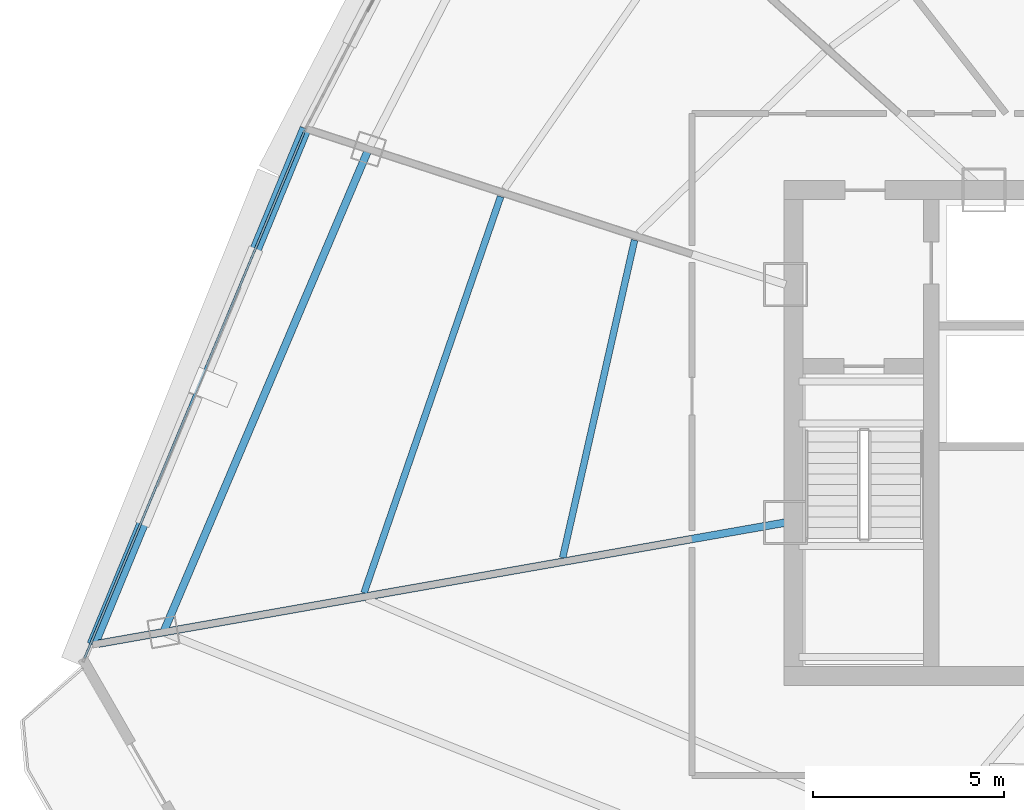
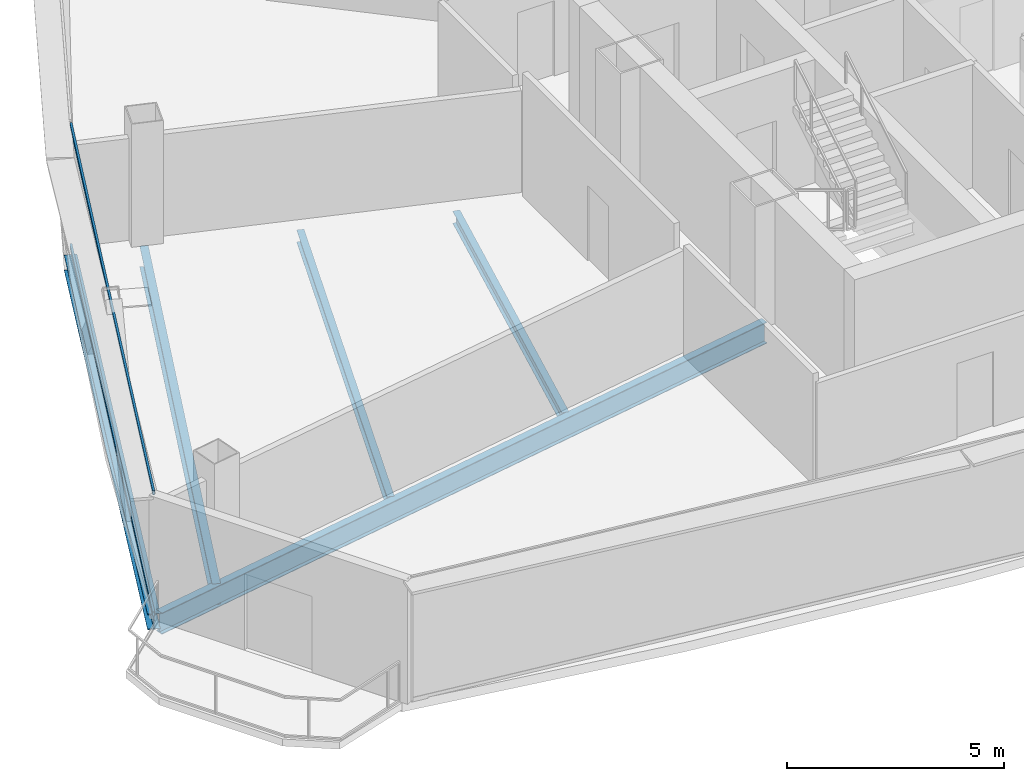
# One storey, part 5 of 33: 5 beams, 2 members, 1 element without a shape of its own.
"""IFC4 building model written with IfcOpenShell, lengths in metres."""

from ifc_helpers import new_model, si_unit, direction, frame, origin, origin_2d, place, context, subcontext, project, spatial, hollow_rectangle, i_section, extrude, source, transform, mapped, material, layer, layer_set, material_profile, profile_set, type_object, element, aggregate, save


model = new_model("IFC4")

# Units and contexts
model_context = context("Model", 3, precision=1e-05, world=origin(), true_north=direction((0.0, 1.0)))
body_context = subcontext(model_context, "Body", "Model", "MODEL_VIEW")
ifc_project = project(units=[si_unit("LENGTHUNIT", "METRE"), si_unit("AREAUNIT", "SQUARE_METRE"), si_unit("VOLUMEUNIT", "CUBIC_METRE"), si_unit("PLANEANGLEUNIT", "RADIAN"), si_unit("MASSUNIT", "GRAM", prefix="KILO"), si_unit("THERMODYNAMICTEMPERATUREUNIT", "KELVIN"), si_unit("POWERUNIT", "WATT")], contexts=[model_context])

# Site, building, storey
site_placement = place(None, origin())
site = spatial("IfcSite", under=ifc_project, at=site_placement, CompositionType="ELEMENT")
building_placement = place(site_placement, origin())
building = spatial("IfcBuilding", under=site, at=building_placement, Name="Yunzhuo Pagoda Commons", CompositionType="ELEMENT")
storey_placement = place(building_placement, frame((0.0, 0.0, 307.39990234375)))
storey = spatial("IfcBuildingStorey", under=building, at=storey_placement, Name="L77", CompositionType="ELEMENT", Elevation=307.39990234375)

# Beams
ifc_material_1 = material(Name="Structural steel Q355B", Category="steel")
ifc_material_profile_1 = material_profile(ifc_material_1, i_section(OverallWidth=0.199951171875, OverallDepth=0.60009765625, WebThickness=0.010986328125, FlangeThickness=0.01708984375, at=origin_2d()), Name="Structural steel Q355B")
ifc_profile_set_1 = profile_set([ifc_material_profile_1], Name="Structural steel Q355B")
beam_type_1 = type_object("IfcBeamType", Name="B-RG3 Beam HN 600x200x11x17", PredefinedType="BEAM", material=ifc_profile_set_1)
shared_shape_1 = source(origin(), body_context, "Body", "SweptSolid", [
    extrude(i_section(OverallWidth=0.199951171875, OverallDepth=0.60009765625, WebThickness=0.010986328125, FlangeThickness=0.01708984375, at=origin_2d()), origin(), (0.0, 0.0, 1.0), 13.715576171875),
])
beam_1_placement = place(storey_placement, frame((24.697509765625, 41.271484375, -0.559814453125), z_axis=(-0.390733146992, -0.920503996646, 0.0), x_axis=(0.920503996646, -0.390733146992, 0.0)))
element("IfcBeam", 1, at=beam_1_placement, inside=storey, type_object=beam_type_1, Name="L77 column-ring beam 11", PredefinedType="BEAM", context=body_context, shape_type="MappedRepresentation", body=[
    mapped(shared_shape_1, transform((0.0, 0.0, 0.0), scale=1.0)),
])
ifc_material_profile_2 = material_profile(ifc_material_1, i_section(OverallWidth=0.175048828125, OverallDepth=0.35009765625, WebThickness=0.007080078125, FlangeThickness=0.010986328125, at=origin_2d()), Name="Structural steel Q355B")
ifc_profile_set_2 = profile_set([ifc_material_profile_2], Name="Structural steel Q355B")
beam_type_2 = type_object("IfcBeamType", Name="B-JS2 Joist HN 350x175x7x11", PredefinedType="JOIST", material=ifc_profile_set_2)
shared_shape_2 = source(origin(), body_context, "Body", "SweptSolid", [
    extrude(i_section(OverallWidth=0.175048828125, OverallDepth=0.35009765625, WebThickness=0.007080078125, FlangeThickness=0.010986328125, at=origin_2d()), origin(), (0.0, 0.0, 1.0), 8.508544921875),
])
beam_2_placement = place(storey_placement, frame((31.649658203125, 38.89208984375, -0.434814453125), z_axis=(-0.220769003385, -0.975326123481, 0.0), x_axis=(0.975326123481, -0.220769003385, 0.0)))
element("IfcBeam", 2, at=beam_2_placement, inside=storey, type_object=beam_type_2, Name="L77 composite ring joist 1.11", PredefinedType="JOIST", context=body_context, shape_type="MappedRepresentation", body=[
    mapped(shared_shape_2, transform((0.0, 0.0, 0.0), scale=1.0)),
])
shared_shape_3 = source(origin(), body_context, "Body", "SweptSolid", [
    extrude(i_section(OverallWidth=0.175048828125, OverallDepth=0.35009765625, WebThickness=0.007080078125, FlangeThickness=0.010986328125, at=origin_2d()), origin(), (0.0, 0.0, 1.0), 10.954345703125),
])
beam_3_placement = place(storey_placement, frame((28.14892578125, 40.029052734375, -0.434814453125), z_axis=(-0.325839571137, -0.945425075763, 0.0), x_axis=(0.945425075763, -0.325839571137, 0.0)))
element("IfcBeam", 3, at=beam_3_placement, inside=storey, type_object=beam_type_2, Name="L77 composite ring joist 2.11", PredefinedType="JOIST", context=body_context, shape_type="MappedRepresentation", body=[
    mapped(shared_shape_3, transform((0.0, 0.0, 0.0), scale=1.0)),
])
shared_shape_4 = source(origin(), body_context, "Body", "SweptSolid", [
    extrude(i_section(OverallWidth=0.199951171875, OverallDepth=0.60009765625, WebThickness=0.010986328125, FlangeThickness=0.01708984375, at=origin_2d()), origin(), (0.0, 0.0, 1.0), 18.23828125),
])
beam_4_placement = place(storey_placement, frame((17.638916015625, 28.3466796875, -0.559814453125), z_axis=(0.984810499087, 0.173632603184, 0.0), x_axis=(-0.173632603184, 0.984810499087, 0.0)))
element("IfcBeam", 4, at=beam_4_placement, inside=storey, type_object=beam_type_1, Name="L77 radial floor girder F3C4", PredefinedType="BEAM", context=body_context, shape_type="MappedRepresentation", body=[
    mapped(shared_shape_4, transform((0.0, 0.0, 0.0), scale=1.0)),
])
ifc_material_profile_3 = material_profile(ifc_material_1, i_section(OverallWidth=0.300048828125, OverallDepth=0.43994140625, WebThickness=0.010986328125, FlangeThickness=0.01806640625, at=origin_2d()), Name="Structural steel Q355B")
ifc_profile_set_3 = profile_set([ifc_material_profile_3], Name="Structural steel Q355B")
beam_type_3 = type_object("IfcBeamType", Name="B-SP2 Beam HM 440x300x11x18", PredefinedType="BEAM", material=ifc_profile_set_3)
shared_shape_5 = source(origin(), body_context, "Body", "SweptSolid", [
    extrude(i_section(OverallWidth=0.300048828125, OverallDepth=0.43994140625, WebThickness=0.010986328125, FlangeThickness=0.01806640625, at=origin_2d()), origin(), (0.0, 0.0, 1.0), 14.589599609375),
])
beam_5_placement = place(storey_placement, frame((23.050048828125, 41.806640625, -0.47998046875), z_axis=(-0.381363277561, -0.92442525416, 0.0), x_axis=(0.92442525416, -0.381363277561, 0.0)))
element("IfcBeam", 5, at=beam_5_placement, inside=storey, type_object=beam_type_3, Name="L77 facade edge spandrel beam F3.3", PredefinedType="BEAM", context=body_context, shape_type="MappedRepresentation", body=[
    mapped(shared_shape_5, transform((0.0, 0.0, 0.0), scale=1.0)),
])

# Curtain wall, members
ifc_material_2 = material(Name="Anodized aluminium 6063-T6", Category="aluminium")
ifc_layer = layer(ifc_material_2, 0.139892578125)
ifc_layer_set = layer_set([ifc_layer], Name="Anodized aluminium 6063-T6")
curtain_wall_type = type_object("IfcCurtainWallType", Name="CW-HI High-Zone Ribbon Curtain Wall", PredefinedType="NOTDEFINED", material=ifc_layer_set)
curtain_wall_placement = place(storey_placement, origin())
curtain_wall = element("IfcCurtainWall", 6, at=curtain_wall_placement, inside=storey, type_object=curtain_wall_type, Name="L77 curtain wall CW-L77-F3B4", PredefinedType="NOTDEFINED")
ifc_material_profile_4 = material_profile(ifc_material_2, hollow_rectangle(XDim=0.054931640625, YDim=0.1201171875, WallThickness=0.00341796875, at=origin_2d()), Name="Anodized aluminium 6063-T6")
ifc_profile_set_4 = profile_set([ifc_material_profile_4], Name="Anodized aluminium 6063-T6")
member_type = type_object("IfcMemberType", Name="CW-HI-T Transom RHS 120x55x3.5", PredefinedType="USERDEFINED", material=ifc_profile_set_4)
shared_shape_6 = source(origin(), body_context, "Body", "SweptSolid", [
    extrude(hollow_rectangle(XDim=0.054931640625, YDim=0.1201171875, WallThickness=0.00341796875, at=origin_2d()), origin(), (0.0, 0.0, 1.0), 14.939208984375),
])
member_1_placement = place(storey_placement, frame((23.027099609375, 41.751220703125, 0.027587890625), z_axis=(-0.385102694445, -0.92287372632, 0.0), x_axis=(0.92287372632, -0.385102694445, 0.0)))
member_1 = element("IfcMember", 7, at=member_1_placement, type_object=member_type, Name="CW transom 1.1", ObjectType="TRANSOM", PredefinedType="USERDEFINED", context=body_context, shape_type="MappedRepresentation", body=[
    mapped(shared_shape_6, transform((0.0, 0.0, 0.0), scale=1.0)),
])
member_2_placement = place(storey_placement, frame((23.027099609375, 41.751220703125, 3.442626953125), z_axis=(-0.385102694445, -0.92287372632, 0.0), x_axis=(0.92287372632, -0.385102694445, 0.0)))
member_2 = element("IfcMember", 8, at=member_2_placement, type_object=member_type, Name="CW transom 1.2", ObjectType="TRANSOM", PredefinedType="USERDEFINED", context=body_context, shape_type="MappedRepresentation", body=[
    mapped(shared_shape_6, transform((0.0, 0.0, 0.0), scale=1.0)),
])
aggregate(curtain_wall, [member_1, member_2])

save(model, "model.ifc")
